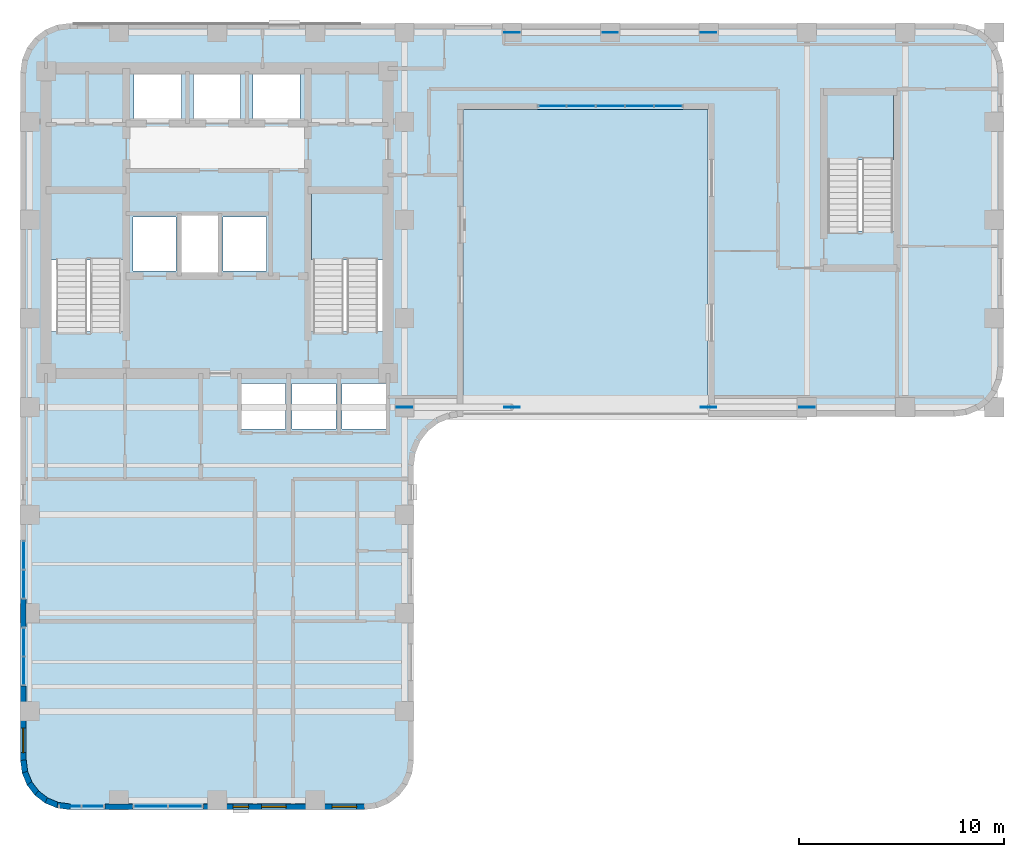
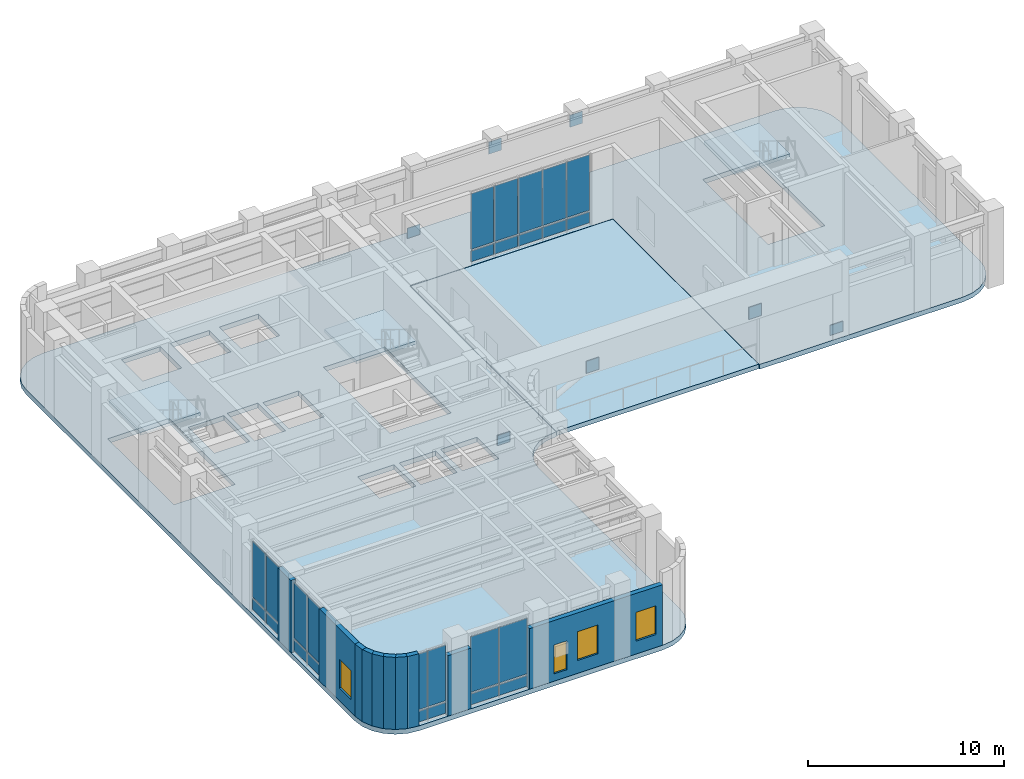
# One storey, part 5 of 12: 34 plates, 10 walls, 5 slabs, 4 windows, 4 openings, 8 elements without a shape of their own.
"""IFC4 building model written with IfcOpenShell, lengths in metres."""

from ifc_helpers import new_model, si_unit, direction, frame, frame_2d, origin, origin_2d, place, context, subcontext, project, spatial, polyline, rectangle, outline, extrude, material, layer, layer_set, type_object, element, fill, aggregate, save


model = new_model("IFC4")

# Units and contexts
model_context = context("Model", 3, precision=1e-05, world=origin(), true_north=direction((0.0, 1.0)))
body_context = subcontext(model_context, "Body", "Model", "MODEL_VIEW")
ifc_project = project(units=[si_unit("LENGTHUNIT", "METRE"), si_unit("AREAUNIT", "SQUARE_METRE"), si_unit("VOLUMEUNIT", "CUBIC_METRE"), si_unit("PLANEANGLEUNIT", "RADIAN"), si_unit("MASSUNIT", "GRAM", prefix="KILO")], contexts=[model_context])

# Site, building, storey
site_placement = place(None, origin())
site = spatial("IfcSite", under=ifc_project, at=site_placement, CompositionType="ELEMENT")
building_placement = place(site_placement, origin())
building = spatial("IfcBuilding", under=site, at=building_placement, Name="Orvandelia Arch Residences", CompositionType="ELEMENT")
storey_placement = place(building_placement, frame((0.0, 0.0, 193.60009765625)))
storey = spatial("IfcBuildingStorey", under=building, at=storey_placement, Name="L51", CompositionType="ELEMENT", Elevation=193.60009765625)

# Curtain wall, plates
ifc_material_1 = material(Name="Anodised Bronze Curtain Wall Assembly")
curtain_wall_type = type_object("IfcCurtainWallType", Name="CW-SYS3-SKY", PredefinedType="NOTDEFINED", material=ifc_material_1)
curtain_wall_1_placement = place(storey_placement, origin())
curtain_wall_1 = element("IfcCurtainWall", 1, at=curtain_wall_1_placement, inside=storey, type_object=curtain_wall_type, Name="Sky Lobby South Curtain Wall L51 1", PredefinedType="NOTDEFINED")
ifc_material_2 = material(Name="Insulated Bronze Aluminium Spandrel Panel", Category="aluminium")
ifc_layer_1 = layer(ifc_material_2, 0.0400390625, Name="Insulated Bronze Aluminium Spandrel Panel", Category="aluminium")
ifc_layer_set_1 = layer_set([ifc_layer_1], Name="Insulated Bronze Aluminium Spandrel Panel")
plate_type_1 = type_object("IfcPlateType", Name="CW-PANEL-SPANDREL", PredefinedType="SHEET", material=ifc_layer_set_1)
plate_1_placement = place(storey_placement, frame((7.231201171875, 9.760009765625, 0.125), z_axis=(0.0, 0.0, 1.0), x_axis=(1.0, 0.0, 0.0)))
plate_1 = element("IfcPlate", 2, at=plate_1_placement, type_object=plate_type_1, Name="Curtain Wall Spandrel Panel CW-L51-1-PS1", PredefinedType="SHEET", context=body_context, shape_type="SweptSolid", body=[
    extrude(rectangle(XDim=1.052490234375, YDim=0.0400390625, at=origin_2d()), origin(), (0.0, 0.0, 1.0), 0.669921875),
])
plate_2_placement = place(storey_placement, frame((8.333740234375, 9.760009765625, 0.125), z_axis=(0.0, 0.0, 1.0), x_axis=(1.0, 0.0, 0.0)))
plate_2 = element("IfcPlate", 3, at=plate_2_placement, type_object=plate_type_1, Name="Curtain Wall Spandrel Panel CW-L51-1-PS2", PredefinedType="SHEET", context=body_context, shape_type="SweptSolid", body=[
    extrude(rectangle(XDim=1.052490234375, YDim=0.0400390625, at=origin_2d()), origin(), (0.0, 0.0, 1.0), 0.669921875),
])

curtain_wall_2_placement = place(storey_placement, origin())
curtain_wall_2 = element("IfcCurtainWall", 4, at=curtain_wall_2_placement, inside=storey, type_object=curtain_wall_type, Name="Sky Lobby South Curtain Wall L51 2", PredefinedType="NOTDEFINED")
plate_3_placement = place(storey_placement, frame((11.157470703125, 9.760009765625, 0.125), z_axis=(0.0, 0.0, 1.0), x_axis=(1.0, 0.0, 0.0)))
plate_3 = element("IfcPlate", 5, at=plate_3_placement, type_object=plate_type_1, Name="Curtain Wall Spandrel Panel CW-L51-2-PS1", PredefinedType="SHEET", context=body_context, shape_type="SweptSolid", body=[
    extrude(rectangle(XDim=1.635009765625, YDim=0.0400390625, at=origin_2d()), origin(), (0.0, 0.0, 1.0), 0.669921875),
])
plate_4_placement = place(storey_placement, frame((12.842529296875, 9.760009765625, 0.125), z_axis=(0.0, 0.0, 1.0), x_axis=(1.0, 0.0, 0.0)))
plate_4 = element("IfcPlate", 6, at=plate_4_placement, type_object=plate_type_1, Name="Curtain Wall Spandrel Panel CW-L51-2-PS2", PredefinedType="SHEET", context=body_context, shape_type="SweptSolid", body=[
    extrude(rectangle(XDim=1.635009765625, YDim=0.0400390625, at=origin_2d()), origin(), (0.0, 0.0, 1.0), 0.669921875),
])

curtain_wall_3_placement = place(storey_placement, origin())
curtain_wall_3 = element("IfcCurtainWall", 7, at=curtain_wall_3_placement, inside=storey, type_object=curtain_wall_type, Name="Sky Lobby West Curtain Wall L51 3", PredefinedType="NOTDEFINED")
plate_5_placement = place(storey_placement, frame((4.9599609375, 16.38134765625, 0.125), z_axis=(0.0, 0.0, 1.0), x_axis=(0.0, 1.0, 0.0)))
plate_5 = element("IfcPlate", 8, at=plate_5_placement, type_object=plate_type_1, Name="Curtain Wall Spandrel Panel CW-L51-3-PS1", PredefinedType="SHEET", context=body_context, shape_type="SweptSolid", body=[
    extrude(rectangle(XDim=1.3525390625, YDim=0.0400390625, at=origin_2d()), origin(), (0.0, 0.0, 1.0), 0.669921875),
])
plate_6_placement = place(storey_placement, frame((4.9599609375, 17.78369140625, 0.125), z_axis=(0.0, 0.0, 1.0), x_axis=(0.0, 1.0, 0.0)))
plate_6 = element("IfcPlate", 9, at=plate_6_placement, type_object=plate_type_1, Name="Curtain Wall Spandrel Panel CW-L51-3-PS2", PredefinedType="SHEET", context=body_context, shape_type="SweptSolid", body=[
    extrude(rectangle(XDim=1.3525390625, YDim=0.0400390625, at=origin_2d()), origin(), (0.0, 0.0, 1.0), 0.669921875),
])

curtain_wall_4_placement = place(storey_placement, origin())
curtain_wall_4 = element("IfcCurtainWall", 10, at=curtain_wall_4_placement, inside=storey, type_object=curtain_wall_type, Name="Sky Lobby West Curtain Wall L51 4", PredefinedType="NOTDEFINED")
plate_7_placement = place(storey_placement, frame((4.9599609375, 20.6162109375, 0.125), z_axis=(0.0, 0.0, 1.0), x_axis=(0.0, 1.0, 0.0)))
plate_7 = element("IfcPlate", 11, at=plate_7_placement, type_object=plate_type_1, Name="Curtain Wall Spandrel Panel CW-L51-4-PS1", PredefinedType="SHEET", context=body_context, shape_type="SweptSolid", body=[
    extrude(rectangle(XDim=1.3525390625, YDim=0.0400390625, at=origin_2d()), origin(), (0.0, 0.0, 1.0), 0.669921875),
])
plate_8_placement = place(storey_placement, frame((4.9599609375, 22.018798828125, 0.125), z_axis=(0.0, 0.0, 1.0), x_axis=(0.0, 1.0, 0.0)))
plate_8 = element("IfcPlate", 12, at=plate_8_placement, type_object=plate_type_1, Name="Curtain Wall Spandrel Panel CW-L51-4-PS2", PredefinedType="SHEET", context=body_context, shape_type="SweptSolid", body=[
    extrude(rectangle(XDim=1.3525390625, YDim=0.0400390625, at=origin_2d()), origin(), (0.0, 0.0, 1.0), 0.669921875),
])

curtain_wall_5_placement = place(storey_placement, origin())
curtain_wall_5 = element("IfcCurtainWall", 13, at=curtain_wall_5_placement, inside=storey, type_object=curtain_wall_type, Name="Sky Garden Bridge Curtain Wall L51 5", PredefinedType="NOTDEFINED")
plate_9_placement = place(storey_placement, frame((30.77197265625, 43.9599609375, 0.125), z_axis=(0.0, 0.0, 1.0), x_axis=(1.0, 0.0, 0.0)))
plate_9 = element("IfcPlate", 14, at=plate_9_placement, type_object=plate_type_1, Name="Curtain Wall Spandrel Panel CW-L51-5-PS1", PredefinedType="SHEET", context=body_context, shape_type="SweptSolid", body=[
    extrude(rectangle(XDim=1.333984375, YDim=0.0400390625, at=origin_2d()), origin(), (0.0, 0.0, 1.0), 0.669921875),
])
plate_10_placement = place(storey_placement, frame((32.176025390625, 43.9599609375, 0.125), z_axis=(0.0, 0.0, 1.0), x_axis=(1.0, 0.0, 0.0)))
plate_10 = element("IfcPlate", 15, at=plate_10_placement, type_object=plate_type_1, Name="Curtain Wall Spandrel Panel CW-L51-5-PS2", PredefinedType="SHEET", context=body_context, shape_type="SweptSolid", body=[
    extrude(rectangle(XDim=1.3740234375, YDim=0.0400390625, at=origin_2d()), origin(), (0.0, 0.0, 1.0), 0.669921875),
])
plate_11_placement = place(storey_placement, frame((33.60009765625, 43.9599609375, 0.125), z_axis=(0.0, 0.0, 1.0), x_axis=(1.0, 0.0, 0.0)))
plate_11 = element("IfcPlate", 16, at=plate_11_placement, type_object=plate_type_1, Name="Curtain Wall Spandrel Panel CW-L51-5-PS3", PredefinedType="SHEET", context=body_context, shape_type="SweptSolid", body=[
    extrude(rectangle(XDim=1.3740234375, YDim=0.0400390625, at=origin_2d()), origin(), (0.0, 0.0, 1.0), 0.669921875),
])
plate_12_placement = place(storey_placement, frame((35.02392578125, 43.9599609375, 0.125), z_axis=(0.0, 0.0, 1.0), x_axis=(1.0, 0.0, 0.0)))
plate_12 = element("IfcPlate", 17, at=plate_12_placement, type_object=plate_type_1, Name="Curtain Wall Spandrel Panel CW-L51-5-PS4", PredefinedType="SHEET", context=body_context, shape_type="SweptSolid", body=[
    extrude(rectangle(XDim=1.3740234375, YDim=0.0400390625, at=origin_2d()), origin(), (0.0, 0.0, 1.0), 0.669921875),
])
plate_13_placement = place(storey_placement, frame((36.427978515625, 43.9599609375, 0.125), z_axis=(0.0, 0.0, 1.0), x_axis=(1.0, 0.0, 0.0)))
plate_13 = element("IfcPlate", 18, at=plate_13_placement, type_object=plate_type_1, Name="Curtain Wall Spandrel Panel CW-L51-5-PS5", PredefinedType="SHEET", context=body_context, shape_type="SweptSolid", body=[
    extrude(rectangle(XDim=1.333984375, YDim=0.0400390625, at=origin_2d()), origin(), (0.0, 0.0, 1.0), 0.669921875),
])

# Plate
ifc_material_3 = material(Name="Low-E Laminated Double Glazing", Category="glass")
ifc_layer_2 = layer(ifc_material_3, 0.031982421875, Name="Low-E Laminated Double Glazing", Category="glass")
ifc_layer_set_2 = layer_set([ifc_layer_2], Name="Low-E Laminated Double Glazing")
plate_type_2 = type_object("IfcPlateType", Name="CW-PANEL-VISION", PredefinedType="CURTAIN_PANEL", material=ifc_layer_set_2)
plate_14_placement = place(storey_placement, frame((7.231201171875, 9.760009765625, 0.90478515625), z_axis=(0.0, 0.0, 1.0), x_axis=(1.0, 0.0, 0.0)))
plate_14 = element("IfcPlate", 19, at=plate_14_placement, type_object=plate_type_2, Name="Curtain Wall Vision Glass Panel CW-L51-1-PV1", PredefinedType="CURTAIN_PANEL", context=body_context, shape_type="SweptSolid", body=[
    extrude(rectangle(XDim=1.052490234375, YDim=0.031982421875, at=origin_2d()), origin(), (0.0, 0.0, 1.0), 3.469970703125),
])

plate_15_placement = place(storey_placement, frame((8.333740234375, 9.760009765625, 0.90478515625), z_axis=(0.0, 0.0, 1.0), x_axis=(1.0, 0.0, 0.0)))
plate_15 = element("IfcPlate", 20, at=plate_15_placement, type_object=plate_type_2, Name="Curtain Wall Vision Glass Panel CW-L51-1-PV2", PredefinedType="CURTAIN_PANEL", context=body_context, shape_type="SweptSolid", body=[
    extrude(rectangle(XDim=1.052490234375, YDim=0.031982421875, at=origin_2d()), origin(), (0.0, 0.0, 1.0), 3.469970703125),
])

aggregate(curtain_wall_1, [plate_1, plate_14, plate_2, plate_15])

plate_16_placement = place(storey_placement, frame((11.157470703125, 9.760009765625, 0.90478515625), z_axis=(0.0, 0.0, 1.0), x_axis=(1.0, 0.0, 0.0)))
plate_16 = element("IfcPlate", 21, at=plate_16_placement, type_object=plate_type_2, Name="Curtain Wall Vision Glass Panel CW-L51-2-PV1", PredefinedType="CURTAIN_PANEL", context=body_context, shape_type="SweptSolid", body=[
    extrude(rectangle(XDim=1.635009765625, YDim=0.031982421875, at=origin_2d()), origin(), (0.0, 0.0, 1.0), 3.469970703125),
])

plate_17_placement = place(storey_placement, frame((12.842529296875, 9.760009765625, 0.90478515625), z_axis=(0.0, 0.0, 1.0), x_axis=(1.0, 0.0, 0.0)))
plate_17 = element("IfcPlate", 22, at=plate_17_placement, type_object=plate_type_2, Name="Curtain Wall Vision Glass Panel CW-L51-2-PV2", PredefinedType="CURTAIN_PANEL", context=body_context, shape_type="SweptSolid", body=[
    extrude(rectangle(XDim=1.635009765625, YDim=0.031982421875, at=origin_2d()), origin(), (0.0, 0.0, 1.0), 3.469970703125),
])

aggregate(curtain_wall_2, [plate_3, plate_16, plate_4, plate_17])

plate_18_placement = place(storey_placement, frame((4.9599609375, 16.38134765625, 0.90478515625), z_axis=(0.0, 0.0, 1.0), x_axis=(0.0, 1.0, 0.0)))
plate_18 = element("IfcPlate", 23, at=plate_18_placement, type_object=plate_type_2, Name="Curtain Wall Vision Glass Panel CW-L51-3-PV1", PredefinedType="CURTAIN_PANEL", context=body_context, shape_type="SweptSolid", body=[
    extrude(rectangle(XDim=1.3525390625, YDim=0.031982421875, at=origin_2d()), origin(), (0.0, 0.0, 1.0), 3.469970703125),
])

plate_19_placement = place(storey_placement, frame((4.9599609375, 17.78369140625, 0.90478515625), z_axis=(0.0, 0.0, 1.0), x_axis=(0.0, 1.0, 0.0)))
plate_19 = element("IfcPlate", 24, at=plate_19_placement, type_object=plate_type_2, Name="Curtain Wall Vision Glass Panel CW-L51-3-PV2", PredefinedType="CURTAIN_PANEL", context=body_context, shape_type="SweptSolid", body=[
    extrude(rectangle(XDim=1.3525390625, YDim=0.031982421875, at=origin_2d()), origin(), (0.0, 0.0, 1.0), 3.469970703125),
])

aggregate(curtain_wall_3, [plate_5, plate_18, plate_6, plate_19])

plate_20_placement = place(storey_placement, frame((4.9599609375, 20.6162109375, 0.90478515625), z_axis=(0.0, 0.0, 1.0), x_axis=(0.0, 1.0, 0.0)))
plate_20 = element("IfcPlate", 25, at=plate_20_placement, type_object=plate_type_2, Name="Curtain Wall Vision Glass Panel CW-L51-4-PV1", PredefinedType="CURTAIN_PANEL", context=body_context, shape_type="SweptSolid", body=[
    extrude(rectangle(XDim=1.3525390625, YDim=0.031982421875, at=origin_2d()), origin(), (0.0, 0.0, 1.0), 3.469970703125),
])

plate_21_placement = place(storey_placement, frame((4.9599609375, 22.018798828125, 0.90478515625), z_axis=(0.0, 0.0, 1.0), x_axis=(0.0, 1.0, 0.0)))
plate_21 = element("IfcPlate", 26, at=plate_21_placement, type_object=plate_type_2, Name="Curtain Wall Vision Glass Panel CW-L51-4-PV2", PredefinedType="CURTAIN_PANEL", context=body_context, shape_type="SweptSolid", body=[
    extrude(rectangle(XDim=1.3525390625, YDim=0.031982421875, at=origin_2d()), origin(), (0.0, 0.0, 1.0), 3.469970703125),
])

aggregate(curtain_wall_4, [plate_7, plate_20, plate_8, plate_21])

plate_22_placement = place(storey_placement, frame((30.77197265625, 43.9599609375, 0.90478515625), z_axis=(0.0, 0.0, 1.0), x_axis=(1.0, 0.0, 0.0)))
plate_22 = element("IfcPlate", 27, at=plate_22_placement, type_object=plate_type_2, Name="Curtain Wall Vision Glass Panel CW-L51-5-PV1", PredefinedType="CURTAIN_PANEL", context=body_context, shape_type="SweptSolid", body=[
    extrude(rectangle(XDim=1.333984375, YDim=0.031982421875, at=origin_2d()), origin(), (0.0, 0.0, 1.0), 3.469970703125),
])

plate_23_placement = place(storey_placement, frame((32.176025390625, 43.9599609375, 0.90478515625), z_axis=(0.0, 0.0, 1.0), x_axis=(1.0, 0.0, 0.0)))
plate_23 = element("IfcPlate", 28, at=plate_23_placement, type_object=plate_type_2, Name="Curtain Wall Vision Glass Panel CW-L51-5-PV2", PredefinedType="CURTAIN_PANEL", context=body_context, shape_type="SweptSolid", body=[
    extrude(rectangle(XDim=1.3740234375, YDim=0.031982421875, at=origin_2d()), origin(), (0.0, 0.0, 1.0), 3.469970703125),
])

plate_24_placement = place(storey_placement, frame((33.60009765625, 43.9599609375, 0.90478515625), z_axis=(0.0, 0.0, 1.0), x_axis=(1.0, 0.0, 0.0)))
plate_24 = element("IfcPlate", 29, at=plate_24_placement, type_object=plate_type_2, Name="Curtain Wall Vision Glass Panel CW-L51-5-PV3", PredefinedType="CURTAIN_PANEL", context=body_context, shape_type="SweptSolid", body=[
    extrude(rectangle(XDim=1.3740234375, YDim=0.031982421875, at=origin_2d()), origin(), (0.0, 0.0, 1.0), 3.469970703125),
])

plate_25_placement = place(storey_placement, frame((35.02392578125, 43.9599609375, 0.90478515625), z_axis=(0.0, 0.0, 1.0), x_axis=(1.0, 0.0, 0.0)))
plate_25 = element("IfcPlate", 30, at=plate_25_placement, type_object=plate_type_2, Name="Curtain Wall Vision Glass Panel CW-L51-5-PV4", PredefinedType="CURTAIN_PANEL", context=body_context, shape_type="SweptSolid", body=[
    extrude(rectangle(XDim=1.3740234375, YDim=0.031982421875, at=origin_2d()), origin(), (0.0, 0.0, 1.0), 3.469970703125),
])

plate_26_placement = place(storey_placement, frame((36.427978515625, 43.9599609375, 0.90478515625), z_axis=(0.0, 0.0, 1.0), x_axis=(1.0, 0.0, 0.0)))
plate_26 = element("IfcPlate", 31, at=plate_26_placement, type_object=plate_type_2, Name="Curtain Wall Vision Glass Panel CW-L51-5-PV5", PredefinedType="CURTAIN_PANEL", context=body_context, shape_type="SweptSolid", body=[
    extrude(rectangle(XDim=1.333984375, YDim=0.031982421875, at=origin_2d()), origin(), (0.0, 0.0, 1.0), 3.469970703125),
])

aggregate(curtain_wall_5, [plate_9, plate_22, plate_10, plate_23, plate_11, plate_24, plate_12, plate_25, plate_13, plate_26])

# Plates
ifc_material_4 = material(Name="Structural Steel HSA650 (650 MPa)", Category="steel")
ifc_layer_3 = layer(ifc_material_4, 0.0400390625, Name="Structural Steel HSA650 (650 MPa)", Category="steel")
ifc_layer_set_3 = layer_set([ifc_layer_3], Name="Structural Steel HSA650 (650 MPa)")
plate_type_3 = type_object("IfcPlateType", Name="PLT-GUSSET-750", PredefinedType="USERDEFINED", material=ifc_layer_set_3)
for number, where, z_axis, x_axis, name in (
    (32, (23.550048828125, 29.25, -0.125), (0.0, 0.0, 1.0), (1.0, 0.0, 0.0), "Portal Truss Lower Gusset Plate PTD-1"),
    (33, (28.800048828125, 29.25, 2.6748046875), (0.0, 0.0, 1.0), (1.0, 0.0, 0.0), "Portal Truss Upper Gusset Plate PTD-1"),
    (34, (43.199951171875, 29.25, -0.125), (0.0, 0.0, 1.0), (1.0, 0.0, 0.0), "Portal Truss Lower Gusset Plate PTD-2"),
    (35, (38.39990234375, 29.25, 2.6748046875), (0.0, 0.0, 1.0), (1.0, 0.0, 0.0), "Portal Truss Upper Gusset Plate PTD-2"),
    (36, (28.800048828125, 47.550048828125, -0.125), (0.0, 0.0, 1.0), (1.0, 0.0, 0.0), "Portal Truss Lower Gusset Plate PTD-3"),
    (37, (33.60009765625, 47.550048828125, 3.574951171875), (0.0, 0.0, 1.0), (1.0, 0.0, 0.0), "Portal Truss Upper Gusset Plate PTD-3"),
    (38, (33.60009765625, 47.550048828125, -0.125), (0.0, 0.0, 1.0), (1.0, 0.0, 0.0), "Portal Truss Lower Gusset Plate PTD-4"),
    (39, (38.39990234375, 47.550048828125, 3.574951171875), (0.0, 0.0, 1.0), (1.0, 0.0, 0.0), "Portal Truss Upper Gusset Plate PTD-4"),
):
    element("IfcPlate", number, at=place(storey_placement, frame(where, z_axis=z_axis, x_axis=x_axis)), inside=storey, type_object=plate_type_3, Name=name, ObjectType="GUSSET_PLATE", PredefinedType="USERDEFINED", context=body_context, shape_type="SweptSolid", body=[
        extrude(rectangle(XDim=0.75, YDim=0.0400390625, at=origin_2d()), origin(), (0.0, 0.0, 1.0), 0.75),
    ])

# Stair, slab
ifc_material_5 = material(Name="Concrete C40/50", Category="concrete")
stair_type = type_object("IfcStairType", Name="STAIR-RC-DOGLEG", PredefinedType="HALF_TURN_STAIR", material=ifc_material_5)
stair_1_placement = place(storey_placement, origin())
stair_1 = element("IfcStair", 40, at=stair_1_placement, inside=storey, type_object=stair_type, Name="L51 Protected Exit Stair ST-1", PredefinedType="HALF_TURN_STAIR")
ifc_layer_4 = layer(ifc_material_5, 0.219970703125, Name="Concrete C40/50", Category="concrete")
ifc_layer_set_4 = layer_set([ifc_layer_4], Name="Concrete C40/50")
slab_type_1 = type_object("IfcSlabType", Name="SLB-LANDING-220", PredefinedType="LANDING", material=ifc_layer_set_4)
slab_1_placement = place(storey_placement, frame((0.0, 0.0, 2.199951171875)))
slab_1 = element("IfcSlab", 41, at=slab_1_placement, type_object=slab_type_1, Name="ST-1 landing 1", PredefinedType="LANDING", context=body_context, shape_type="SweptSolid", body=[
    extrude(outline(polyline([(9.800048828125, 36.429931640625), (9.800048828125, 39.68994140625), (6.260009765625, 39.68994140625), (6.260009765625, 36.429931640625), (9.800048828125, 36.429931640625)])), origin(), (0.0, 0.0, 1.0), 0.199951171875),
])
aggregate(stair_1, [slab_1])

stair_2_placement = place(storey_placement, origin())
stair_2 = element("IfcStair", 42, at=stair_2_placement, inside=storey, type_object=stair_type, Name="L51 Protected Exit Stair ST-2", PredefinedType="HALF_TURN_STAIR")
slab_2_placement = place(storey_placement, frame((0.0, 0.0, 2.199951171875)))
slab_2 = element("IfcSlab", 43, at=slab_2_placement, type_object=slab_type_1, Name="ST-2 landing 1", PredefinedType="LANDING", context=body_context, shape_type="SweptSolid", body=[
    extrude(outline(polyline([(22.5400390625, 36.429931640625), (22.5400390625, 39.68994140625), (19.0, 39.68994140625), (19.0, 36.429931640625), (22.5400390625, 36.429931640625)])), origin(), (0.0, 0.0, 1.0), 0.199951171875),
])
aggregate(stair_2, [slab_2])

stair_3_placement = place(storey_placement, origin())
stair_3 = element("IfcStair", 44, at=stair_3_placement, inside=storey, type_object=stair_type, Name="L51 East Wing Exit Stair ST-3", PredefinedType="HALF_TURN_STAIR")
slab_3_placement = place(storey_placement, frame((0.0, 0.0, 2.199951171875)))
slab_3 = element("IfcSlab", 45, at=slab_3_placement, type_object=slab_type_1, Name="ST-3 landing 1", PredefinedType="LANDING", context=body_context, shape_type="SweptSolid", body=[
    extrude(outline(polyline([(47.43994140625, 41.330078125), (47.43994140625, 44.5), (44.179931640625, 44.5), (44.179931640625, 41.330078125), (47.43994140625, 41.330078125)])), origin(), (0.0, 0.0, 1.0), 0.199951171875),
])
aggregate(stair_3, [slab_3])

# Slabs
ifc_material_6 = material(Name="Concrete C50/60", Category="concrete")
ifc_layer_5 = layer(ifc_material_6, 0.300048828125, Name="Concrete C50/60", Category="concrete")
ifc_layer_set_5 = layer_set([ifc_layer_5], Name="Concrete C50/60")
slab_type_2 = type_object("IfcSlabType", Name="SLB-OUT-300", PredefinedType="FLOOR", material=ifc_layer_set_5)
slab_4_placement = place(storey_placement, frame((0.0, 0.0, -0.300048828125)))
element("IfcSlab", 46, at=slab_4_placement, inside=storey, type_object=slab_type_2, Name="Structural Floor Slab L51-1", PredefinedType="FLOOR", context=body_context, shape_type="SweptSolid", body=[
    extrude(outline(polyline([(4.800048828125, 12.0), (4.8818359375, 11.37890625), (5.12158203125, 10.800048828125), (5.5029296875, 10.302978515625), (6.0, 9.92138671875), (6.578857421875, 9.681884765625), (7.199951171875, 9.60009765625), (21.60009765625, 9.60009765625), (22.22119140625, 9.681884765625), (22.800048828125, 9.92138671875), (23.297119140625, 10.302978515625), (23.678466796875, 10.800048828125), (23.918212890625, 11.37890625), (24.0, 12.0), (24.0, 26.39990234375), (24.081787109375, 27.021240234375), (24.321533203125, 27.60009765625), (24.702880859375, 28.09716796875), (25.199951171875, 28.478515625), (25.77880859375, 28.71826171875), (26.39990234375, 28.800048828125), (26.39990234375, 43.800048828125), (38.39990234375, 43.800048828125), (38.39990234375, 28.800048828125), (50.39990234375, 28.800048828125), (51.021240234375, 28.8818359375), (51.60009765625, 29.12158203125), (52.09716796875, 29.5029296875), (52.478515625, 30.0), (52.71826171875, 30.578857421875), (52.800048828125, 31.199951171875), (52.800048828125, 45.60009765625), (52.71826171875, 46.22119140625), (52.478515625, 46.800048828125), (52.09716796875, 47.297119140625), (51.60009765625, 47.678466796875), (51.021240234375, 47.918212890625), (50.39990234375, 48.0), (7.199951171875, 48.0), (6.578857421875, 47.918212890625), (6.0, 47.678466796875), (5.5029296875, 47.297119140625), (5.12158203125, 46.800048828125), (4.8818359375, 46.22119140625), (4.800048828125, 45.60009765625), (4.800048828125, 12.0)]), holes=[polyline([(6.219970703125, 32.949951171875), (9.840087890625, 32.949951171875), (9.840087890625, 39.72998046875), (6.219970703125, 39.72998046875), (6.219970703125, 32.949951171875)]), polyline([(18.9599609375, 32.949951171875), (22.580078125, 32.949951171875), (22.580078125, 39.72998046875), (18.9599609375, 39.72998046875), (18.9599609375, 32.949951171875)]), polyline([(44.139892578125, 37.85009765625), (47.47998046875, 37.85009765625), (47.47998046875, 44.5400390625), (44.139892578125, 44.5400390625), (44.139892578125, 37.85009765625)]), polyline([(12.639892578125, 35.81005859375), (14.4599609375, 35.81005859375), (14.4599609375, 38.639892578125), (12.639892578125, 38.639892578125), (12.639892578125, 35.81005859375)]), polyline([(10.300048828125, 35.89990234375), (12.39990234375, 35.89990234375), (12.39990234375, 38.550048828125), (10.300048828125, 38.550048828125), (10.300048828125, 35.89990234375)]), polyline([(14.699951171875, 35.89990234375), (16.800048828125, 35.89990234375), (16.800048828125, 38.550048828125), (14.699951171875, 38.550048828125), (14.699951171875, 35.89990234375)]), polyline([(10.35009765625, 43.300048828125), (12.64990234375, 43.300048828125), (12.64990234375, 45.5), (10.35009765625, 45.5), (10.35009765625, 43.300048828125)]), polyline([(13.25, 43.300048828125), (15.550048828125, 43.300048828125), (15.550048828125, 45.5), (13.25, 45.5), (13.25, 43.300048828125)]), polyline([(16.14990234375, 43.300048828125), (18.449951171875, 43.300048828125), (18.449951171875, 45.5), (16.14990234375, 45.5), (16.14990234375, 43.300048828125)]), polyline([(15.60009765625, 28.199951171875), (17.75, 28.199951171875), (17.75, 30.39990234375), (15.60009765625, 30.39990234375), (15.60009765625, 28.199951171875)]), polyline([(18.050048828125, 28.199951171875), (20.199951171875, 28.199951171875), (20.199951171875, 30.39990234375), (18.050048828125, 30.39990234375), (18.050048828125, 28.199951171875)]), polyline([(20.5, 28.199951171875), (22.64990234375, 28.199951171875), (22.64990234375, 30.39990234375), (20.5, 30.39990234375), (20.5, 28.199951171875)])]), origin(), (0.0, 0.0, 1.0), 0.300048828125),
])
ifc_layer_6 = layer(ifc_material_5, 0.280029296875, Name="Concrete C40/50", Category="concrete")
ifc_layer_set_6 = layer_set([ifc_layer_6], Name="Concrete C40/50")
slab_type_3 = type_object("IfcSlabType", Name="SLB-TERR-280", PredefinedType="ROOF", material=ifc_layer_set_6)
slab_5_placement = place(storey_placement, frame((0.0, 0.0, -0.280029296875)))
element("IfcSlab", 47, at=slab_5_placement, inside=storey, type_object=slab_type_3, Name="Planted Sky Terrace Slab TERR-L51-WAIST", PredefinedType="ROOF", context=body_context, shape_type="SweptSolid", body=[
    extrude(outline(polyline([(26.419921875, 28.840087890625), (38.3798828125, 28.840087890625), (38.3798828125, 43.780029296875), (26.419921875, 43.780029296875), (26.419921875, 28.840087890625)])), origin(), (0.0, 0.0, 1.0), 0.280029296875),
])

# Wall, openings, windows
ifc_material_7 = material(Name="Precast concrete C40/50", Category="concrete")
ifc_layer_7 = layer(ifc_material_7, 0.280029296875, Name="Precast concrete C40/50", Category="concrete")
ifc_layer_set_7 = layer_set([ifc_layer_7], Name="Precast concrete C40/50")
wall_type = type_object("IfcWallType", Name="WL-EXT-STONE-280", PredefinedType="STANDARD", material=ifc_layer_set_7)
wall_1_placement = place(storey_placement, frame((21.60009765625, 9.739990234375, 0.0), z_axis=(0.0, 0.0, 1.0), x_axis=(-1.0, 0.0, 0.0)))
wall_1 = element("IfcWall", 48, at=wall_1_placement, inside=storey, type_object=wall_type, Name="Coral-Limestone Precast Facade Wall L51-039", PredefinedType="STANDARD", context=body_context, shape_type="SweptSolid", body=[
    extrude(rectangle(XDim=7.875, YDim=0.280029296875, at=frame_2d((3.9375, 0.0))), origin(), (0.0, 0.0, 1.0), 3.77978515625),
])
opening_1_placement = place(wall_1_placement, frame((3.824951171875, 0.0, 0.800048828125)))
opening_1 = element("IfcOpeningElement", 49, at=opening_1_placement, cuts=wall_1, Name="Opening W3", PredefinedType="OPENING", context=body_context, shape_type="SweptSolid", body=[
    extrude(rectangle(XDim=1.199951171875, YDim=1.800048828125, at=frame_2d((0.60009765625, 0.89990234375))), frame((0.0, 0.14990234375, 0.0), z_axis=(0.0, -1.0, 0.0), x_axis=(1.0, 0.0, 0.0)), (0.0, 0.0, 1.0), 0.300048828125),
])
opening_2_placement = place(wall_1_placement, frame((0.382568359375, 0.0, 0.800048828125)))
opening_2 = element("IfcOpeningElement", 50, at=opening_2_placement, cuts=wall_1, Name="Opening W3", PredefinedType="OPENING", context=body_context, shape_type="SweptSolid", body=[
    extrude(rectangle(XDim=1.199951171875, YDim=1.800048828125, at=frame_2d((0.60009765625, 0.89990234375))), frame((0.0, 0.14990234375, 0.0), z_axis=(0.0, -1.0, 0.0), x_axis=(1.0, 0.0, 0.0)), (0.0, 0.0, 1.0), 0.300048828125),
])
opening_3_placement = place(wall_1_placement, frame((5.66259765625, 0.0, 0.449951171875)))
opening_3 = element("IfcOpeningElement", 51, at=opening_3_placement, cuts=wall_1, Name="Opening W11", PredefinedType="OPENING", context=body_context, shape_type="SweptSolid", body=[
    extrude(rectangle(XDim=0.75, YDim=1.800048828125, at=frame_2d((0.375, 0.89990234375))), frame((0.0, 0.14990234375, 0.0), z_axis=(0.0, -1.0, 0.0), x_axis=(1.0, 0.0, 0.0)), (0.0, 0.0, 1.0), 0.300048828125),
])
ifc_material_8 = material(Name="Tempered Low-E Insulated Glazing", Category="glass")
window_type_1 = type_object("IfcWindowType", Name="WIN-BED-0750x1800", PartitioningType="SINGLE_PANEL", PredefinedType="WINDOW", material=ifc_material_8)
window_1_placement = place(opening_3_placement, origin())
window_1 = element("IfcWindow", 52, at=window_1_placement, inside=storey, type_object=window_type_1, Name="Recessed Punched Window L51-015", OverallHeight=1.800048828125, OverallWidth=0.75, PartitioningType="SINGLE_PANEL", PredefinedType="WINDOW", context=body_context, shape_type="SweptSolid", body=[
    extrude(rectangle(XDim=0.75, YDim=1.800048828125, at=frame_2d((0.375, 0.89990234375))), frame((0.0, 0.030029296875, 0.0), z_axis=(0.0, -1.0, 0.0), x_axis=(1.0, 0.0, 0.0)), (0.0, 0.0, 1.0), 0.06005859375),
])
fill(opening_3, window_1)
window_type_2 = type_object("IfcWindowType", Name="WIN-RES-1200x1800", PartitioningType="SINGLE_PANEL", PredefinedType="WINDOW", material=ifc_material_8)
window_2_placement = place(opening_1_placement, origin())
window_2 = element("IfcWindow", 53, at=window_2_placement, inside=storey, type_object=window_type_2, Name="Recessed Punched Window L51-013", OverallHeight=1.800048828125, OverallWidth=1.199951171875, PartitioningType="SINGLE_PANEL", PredefinedType="WINDOW", context=body_context, shape_type="SweptSolid", body=[
    extrude(rectangle(XDim=1.199951171875, YDim=1.800048828125, at=frame_2d((0.60009765625, 0.89990234375))), frame((0.0, 0.030029296875, 0.0), z_axis=(0.0, -1.0, 0.0), x_axis=(1.0, 0.0, 0.0)), (0.0, 0.0, 1.0), 0.06005859375),
])
fill(opening_1, window_2)
window_3_placement = place(opening_2_placement, origin())
window_3 = element("IfcWindow", 54, at=window_3_placement, inside=storey, type_object=window_type_2, Name="Recessed Punched Window L51-014", OverallHeight=1.800048828125, OverallWidth=1.199951171875, PartitioningType="SINGLE_PANEL", PredefinedType="WINDOW", context=body_context, shape_type="SweptSolid", body=[
    extrude(rectangle(XDim=1.199951171875, YDim=1.800048828125, at=frame_2d((0.60009765625, 0.89990234375))), frame((0.0, 0.030029296875, 0.0), z_axis=(0.0, -1.0, 0.0), x_axis=(1.0, 0.0, 0.0)), (0.0, 0.0, 1.0), 0.06005859375),
])
fill(opening_2, window_3)

# Walls
wall_2_placement = place(storey_placement, frame((10.27490234375, 9.739990234375, 0.0), z_axis=(0.0, 0.0, 1.0), x_axis=(-1.0, 0.0, 0.0)))
element("IfcWall", 55, at=wall_2_placement, inside=storey, type_object=wall_type, Name="Coral-Limestone Precast Facade Wall L51-040", PredefinedType="STANDARD", context=body_context, shape_type="SweptSolid", body=[
    extrude(rectangle(XDim=1.349853515625, YDim=0.280029296875, at=frame_2d((0.6748046875, 0.0))), origin(), (0.0, 0.0, 1.0), 3.77978515625),
])
wall_3_placement = place(storey_placement, frame((7.21826171875, 9.73876953125, 0.0), z_axis=(0.0, 0.0, 1.0), x_axis=(-0.9914410257, 0.130555323746, 0.0)))
element("IfcWall", 56, at=wall_3_placement, inside=storey, type_object=wall_type, Name="Coral-Limestone Precast Facade Wall L51-041", PredefinedType="STANDARD", context=body_context, shape_type="SweptSolid", body=[
    extrude(rectangle(XDim=0.62646484375, YDim=0.280029296875, at=frame_2d((0.313232421875, 0.0))), origin(), (0.0, 0.0, 1.0), 4.5),
])
wall_4_placement = place(storey_placement, frame((6.63232421875, 9.81103515625, 0.0), z_axis=(0.0, 0.0, 1.0), x_axis=(-0.923836271867, 0.382787856107, 0.0)))
element("IfcWall", 57, at=wall_4_placement, inside=storey, type_object=wall_type, Name="Coral-Limestone Precast Facade Wall L51-042", PredefinedType="STANDARD", context=body_context, shape_type="SweptSolid", body=[
    extrude(rectangle(XDim=0.626220703125, YDim=0.280029296875, at=frame_2d((0.31298828125, 0.0))), origin(), (0.0, 0.0, 1.0), 4.5),
])
for number, where, z_axis, x_axis, name in (
    (58, (6.085205078125, 10.03271484375, 0.0), (0.0, 0.0, 1.0), (-0.793405610854, 0.608693302629, 0.0), "Coral-Limestone Precast Facade Wall L51-043"),
    (59, (5.614013671875, 10.38818359375, 0.0), (0.0, 0.0, 1.0), (-0.608693302629, 0.793405610854, 0.0), "Coral-Limestone Precast Facade Wall L51-044"),
    (60, (5.250732421875, 10.853515625, 0.0), (0.0, 0.0, 1.0), (-0.382650053678, 0.92389335771, 0.0), "Coral-Limestone Precast Facade Wall L51-045"),
    (61, (5.0205078125, 11.397216796875, 0.0), (0.0, 0.0, 1.0), (-0.130555323746, 0.9914410257, 0.0), "Coral-Limestone Precast Facade Wall L51-046"),
):
    element("IfcWall", number, at=place(storey_placement, frame(where, z_axis=z_axis, x_axis=x_axis)), inside=storey, type_object=wall_type, Name=name, PredefinedType="STANDARD", context=body_context, shape_type="SweptSolid", body=[
        extrude(rectangle(XDim=0.62646484375, YDim=0.280029296875, at=frame_2d((0.313232421875, 0.0))), origin(), (0.0, 0.0, 1.0), 4.5),
    ])

# Wall, opening, window
wall_5_placement = place(storey_placement, frame((4.93994140625, 12.0, 0.0), z_axis=(0.0, 0.0, 1.0), x_axis=(0.0, 1.0, 0.0)))
wall_5 = element("IfcWall", 62, at=wall_5_placement, inside=storey, type_object=wall_type, Name="Coral-Limestone Precast Facade Wall L51-047", PredefinedType="STANDARD", context=body_context, shape_type="SweptSolid", body=[
    extrude(rectangle(XDim=3.639892578125, YDim=0.280029296875, at=frame_2d((1.81982421875, 0.0))), origin(), (0.0, 0.0, 1.0), 4.5),
])
opening_4_placement = place(wall_5_placement, frame((0.382568359375, 0.0, 0.800048828125)))
opening_4 = element("IfcOpeningElement", 63, at=opening_4_placement, cuts=wall_5, Name="Opening W3", PredefinedType="OPENING", context=body_context, shape_type="SweptSolid", body=[
    extrude(rectangle(XDim=1.199951171875, YDim=1.800048828125, at=frame_2d((0.60009765625, 0.89990234375))), frame((0.0, 0.14990234375, 0.0), z_axis=(0.0, -1.0, 0.0), x_axis=(1.0, 0.0, 0.0)), (0.0, 0.0, 1.0), 0.300048828125),
])
window_4_placement = place(opening_4_placement, origin())
window_4 = element("IfcWindow", 64, at=window_4_placement, inside=storey, type_object=window_type_2, Name="Recessed Punched Window L51-016", OverallHeight=1.800048828125, OverallWidth=1.199951171875, PartitioningType="SINGLE_PANEL", PredefinedType="WINDOW", context=body_context, shape_type="SweptSolid", body=[
    extrude(rectangle(XDim=1.199951171875, YDim=1.800048828125, at=frame_2d((0.60009765625, 0.89990234375))), frame((0.0, 0.030029296875, 0.0), z_axis=(0.0, -1.0, 0.0), x_axis=(1.0, 0.0, 0.0)), (0.0, 0.0, 1.0), 0.06005859375),
])
fill(opening_4, window_4)

# Wall
wall_6_placement = place(storey_placement, frame((4.93994140625, 18.52490234375, 0.0), z_axis=(0.0, 0.0, 1.0), x_axis=(0.0, 1.0, 0.0)))
element("IfcWall", 65, at=wall_6_placement, inside=storey, type_object=wall_type, Name="Coral-Limestone Precast Facade Wall L51-048", PredefinedType="STANDARD", context=body_context, shape_type="SweptSolid", body=[
    extrude(rectangle(XDim=1.35009765625, YDim=0.280029296875, at=frame_2d((0.675048828125, 0.0))), origin(), (0.0, 0.0, 1.0), 4.5),
])

save(model, "model.ifc")
